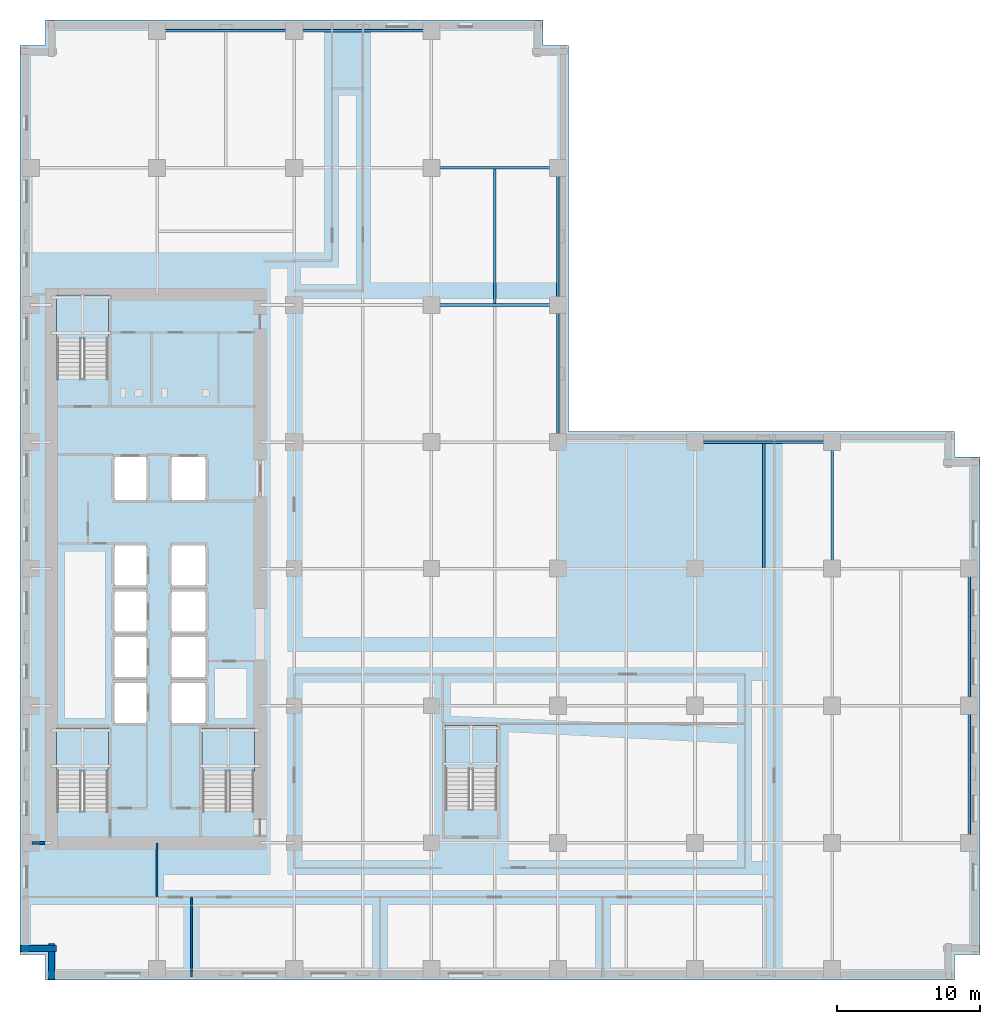
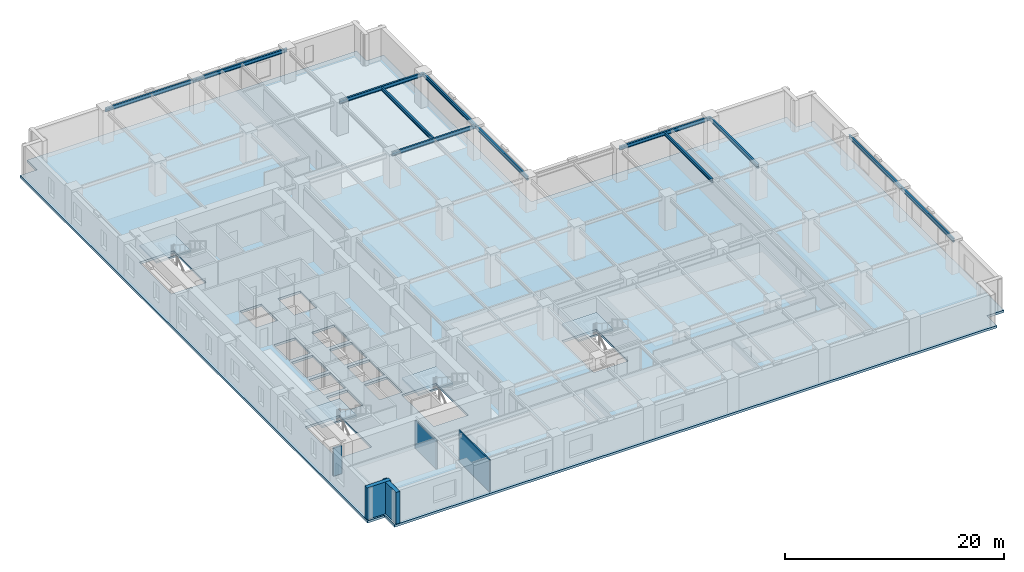
# One storey, part 3 of 13: 12 beams, 5 slabs, 5 walls, 4 elements without a shape of their own.
"""IFC4 building model written with IfcOpenShell, lengths in metres."""

import ifcopenshell
import ifcopenshell.guid

model = None  # the IFC model being written
_history = None  # IfcOwnerHistory: only IFC2X3 demands one
_inside = {}  # id of a spatial element -> (the spatial element, [elements in it])
_under = {}  # id of a project, library or spatial element -> (it, [spatial elements below it])
_declared = {}  # id of a project -> (the project, [libraries it declares])
_typed = {}  # id of a type object -> (the type object, [elements of that type])
_made_of = {}  # id of a material, layer set ... -> (it, [elements and type objects made of it])


def new_model(schema):
    """Start an empty IFC model of exactly this schema.

    Asked for "IFC4X3", IfcOpenShell would pick the latest addendum, in which some entities
    have other attributes; the version numbers below select the first issue.
    IFC2X3 requires an IfcOwnerHistory on every rooted entity: one is made here for all.
    """
    global model, _history
    if schema == "IFC4X3":
        model = ifcopenshell.file(schema_version=(4, 3, 0, 0))
    else:
        model = ifcopenshell.file(schema=schema)
    _inside.clear()
    _under.clear()
    _declared.clear()
    _typed.clear()
    _made_of.clear()
    _history = None
    if model.schema == "IFC2X3":
        org = make("IfcOrganization", Name="unknown")
        user = make(
            "IfcPersonAndOrganization",
            ThePerson=make("IfcPerson", FamilyName="unknown"),
            TheOrganization=org,
        )
        app = make(
            "IfcApplication",
            ApplicationDeveloper=org,
            Version="unknown",
            ApplicationFullName="unknown",
            ApplicationIdentifier="unknown",
        )
        _history = make(
            "IfcOwnerHistory",
            OwningUser=user,
            OwningApplication=app,
            ChangeAction="ADDED",
            CreationDate=0,
        )
    return model


def make(cls, **values):
    """One entity of the class cls with the attributes given. An attribute that is None is left unset."""
    return model.create_entity(
        cls, **{name: value for name, value in values.items() if value is not None}
    )


def rooted(cls, **values):
    """An entity with a GlobalId (a new one), such as an element, a storey or a relation."""
    return make(cls, GlobalId=ifcopenshell.guid.new(), OwnerHistory=_history, **values)


def si_unit(unit_type, name, prefix=None):
    """IfcSIUnit, for example si_unit("LENGTHUNIT", "METRE", prefix="MILLI")."""
    return make("IfcSIUnit", UnitType=unit_type, Prefix=prefix, Name=name)


def assignment(units):
    """IfcUnitAssignment: the units of a project."""
    return None if units is None else make("IfcUnitAssignment", Units=units)


def point(xyz):
    """IfcCartesianPoint."""
    return None if xyz is None else make("IfcCartesianPoint", Coordinates=xyz)


def direction(xyz):
    """IfcDirection."""
    return None if xyz is None else make("IfcDirection", DirectionRatios=xyz)


def frame(location, z_axis=None, x_axis=None):
    """IfcAxis2Placement3D, a coordinate frame: its origin and axes. An axis left out is left unset."""
    return make(
        "IfcAxis2Placement3D",
        Location=point(location),
        Axis=direction(z_axis),
        RefDirection=direction(x_axis),
    )


def frame_2d(location, x_axis=None):
    """IfcAxis2Placement2D, a coordinate frame in the plane: its origin and x axis."""
    return make(
        "IfcAxis2Placement2D", Location=point(location), RefDirection=direction(x_axis)
    )


def origin():
    """The frame at (0, 0, 0) with its axes left unset."""
    return frame((0.0, 0.0, 0.0))


def origin_2d():
    """The frame at (0, 0) in the plane with its x axis left unset."""
    return frame_2d((0.0, 0.0))


def place(relative_to, where):
    """IfcLocalPlacement: puts the frame where relative to a parent placement (None: the world)."""
    return make(
        "IfcLocalPlacement", PlacementRelTo=relative_to, RelativePlacement=where
    )


def context(
    kind, dimensions, precision=None, world=None, true_north=None, identifier=None
):
    """IfcGeometricRepresentationContext, for example the 3D "Model" context."""
    return make(
        "IfcGeometricRepresentationContext",
        ContextIdentifier=identifier,
        ContextType=kind,
        CoordinateSpaceDimension=dimensions,
        Precision=precision,
        WorldCoordinateSystem=world,
        TrueNorth=true_north,
    )


def subcontext(parent, identifier, kind, view, scale=None):
    """IfcGeometricRepresentationSubContext, for example "Body" below "Model"."""
    return make(
        "IfcGeometricRepresentationSubContext",
        ContextIdentifier=identifier,
        ContextType=kind,
        ParentContext=parent,
        TargetScale=scale,
        TargetView=view,
    )


def project(units=None, contexts=None):
    """IfcProject with its units and contexts."""
    return rooted(
        "IfcProject",
        Name="project",
        RepresentationContexts=contexts,
        UnitsInContext=assignment(units),
    )


def spatial(cls, under=None, at=None, **own):
    """A site, building, storey or space (cls), placed at a placement, below another one or the project."""
    s = rooted(cls, ObjectPlacement=at, **own)
    if under is not None:
        _under.setdefault(under.id(), (under, []))[1].append(s)
    return s


def polyline(points):
    """IfcPolyline through the points."""
    return make("IfcPolyline", Points=[point(p) for p in points])


def profile(cls, at=None, kind="AREA", **sizes):
    """A parametric profile (cls). Its sizes go by their IFC names, for example OverallWidth=200.0."""
    return make(cls, ProfileType=kind, Position=at, **sizes)


def rectangle(**sizes):
    """IfcRectangleProfileDef."""
    return profile("IfcRectangleProfileDef", **sizes)


def i_section(**sizes):
    """IfcIShapeProfileDef."""
    return profile("IfcIShapeProfileDef", **sizes)


def outline(outer, holes=None, kind="AREA"):
    """IfcArbitraryClosedProfileDef: a profile drawn as a closed curve; with holes, ...WithVoids."""
    if holes is None:
        return make("IfcArbitraryClosedProfileDef", ProfileType=kind, OuterCurve=outer)
    return make(
        "IfcArbitraryProfileDefWithVoids",
        ProfileType=kind,
        OuterCurve=outer,
        InnerCurves=holes,
    )


def extrude(swept, where, along, depth):
    """IfcExtrudedAreaSolid: the profile swept, set in the frame where, extruded along a direction by depth."""
    return make(
        "IfcExtrudedAreaSolid",
        SweptArea=swept,
        Position=where,
        ExtrudedDirection=direction(along),
        Depth=depth,
    )


def shape(context_of_items, identifier, shape_type, items):
    """IfcShapeRepresentation: the items that make up one representation, for example the "Body"."""
    return make(
        "IfcShapeRepresentation",
        ContextOfItems=context_of_items,
        RepresentationIdentifier=identifier,
        RepresentationType=shape_type,
        Items=items,
    )


def material(Name=None, Category=None):
    """IfcMaterial."""
    return make("IfcMaterial", Name=Name, Category=Category)


def layer(
    of_material, thickness, ventilated=None, Name=None, Category=None, Priority=None
):
    """IfcMaterialLayer: one layer of a wall or slab, of a material (None: an air gap)."""
    return make(
        "IfcMaterialLayer",
        Material=of_material,
        LayerThickness=thickness,
        IsVentilated=ventilated,
        Name=Name,
        Category=Category,
        Priority=Priority,
    )


def layer_set(layers, Name=None):
    """IfcMaterialLayerSet."""
    return make("IfcMaterialLayerSet", MaterialLayers=layers, LayerSetName=Name)


def material_profile(
    of_material, cross_section, Name=None, Category=None, Priority=None
):
    """IfcMaterialProfile: a cross section and its material."""
    return make(
        "IfcMaterialProfile",
        Name=Name,
        Material=of_material,
        Profile=cross_section,
        Priority=Priority,
        Category=Category,
    )


def profile_set(profiles, Name=None, composite=None):
    """IfcMaterialProfileSet."""
    return make(
        "IfcMaterialProfileSet",
        Name=Name,
        MaterialProfiles=profiles,
        CompositeProfile=composite,
    )


def made_of(thing, what):
    """Note that an element or type object is made of a material, layer set ...; save() writes the relation."""
    if what is not None:
        _made_of.setdefault(what.id(), (what, []))[1].append(thing)
    return thing


def type_object(cls, material=None, **own):
    """A type object (cls), such as IfcWallType, which elements share."""
    return made_of(rooted(cls, **own), material)


def element(
    cls,
    number,
    at=None,
    inside=None,
    cuts=None,
    type_object=None,
    material=None,
    context=None,
    identifier="Body",
    shape_type=None,
    held_by="IfcProductDefinitionShape",
    body=None,
    shapes=None,
    **own,
):
    """One element of the class cls, such as IfcWall. Its Tag is "e" and its number.

    at: its placement. inside: the storey or other place that contains it. cuts: it is an
    opening in that element (IfcRelVoidsElement). A single representation is given by context,
    identifier, shape_type and body (its items); several are given by shapes. held_by: the class
    of the entity that holds the representations. save() writes the other relations.
    """
    e = rooted(cls, Tag="e%d" % number, ObjectPlacement=at, **own)
    if body is not None:
        shapes = [shape(context, identifier, shape_type, body)]
    if shapes is not None:
        e.Representation = make(held_by, Representations=shapes)
    if inside is not None:
        _inside.setdefault(inside.id(), (inside, []))[1].append(e)
    if cuts is not None:
        rooted(
            "IfcRelVoidsElement", RelatingBuildingElement=cuts, RelatedOpeningElement=e
        )
    if type_object is not None:
        _typed.setdefault(type_object.id(), (type_object, []))[1].append(e)
    return made_of(e, material)


def aggregate(whole, parts):
    """IfcRelAggregates: a whole, such as a stair, and the parts it consists of."""
    return rooted("IfcRelAggregates", RelatingObject=whole, RelatedObjects=parts)


def save(model, path):
    """Write the relations noted so far, then the file.

    IfcRelAggregates (storeys below a building ...), IfcRelContainedInSpatialStructure (elements
    in a storey), IfcRelDefinesByType, IfcRelAssociatesMaterial and IfcRelDeclares: one each for
    every whole, place, type object, material and project.
    """
    for whole, parts in _under.values():
        aggregate(whole, parts)
    for where, things in _inside.values():
        rooted(
            "IfcRelContainedInSpatialStructure",
            RelatedElements=things,
            RelatingStructure=where,
        )
    for kind, things in _typed.values():
        rooted("IfcRelDefinesByType", RelatedObjects=things, RelatingType=kind)
    for what, things in _made_of.values():
        rooted("IfcRelAssociatesMaterial", RelatedObjects=things, RelatingMaterial=what)
    for by, libraries in _declared.values():
        rooted("IfcRelDeclares", RelatingContext=by, RelatedDefinitions=libraries)
    model.write(path)


model = new_model("IFC4")

# Units and contexts
model_context = context("Model", 3, precision=1e-05, world=origin(), true_north=direction((0.0, 1.0)))
body_context = subcontext(model_context, "Body", "Model", "MODEL_VIEW")
ifc_project = project(units=[si_unit("LENGTHUNIT", "METRE"), si_unit("AREAUNIT", "SQUARE_METRE"), si_unit("VOLUMEUNIT", "CUBIC_METRE"), si_unit("PLANEANGLEUNIT", "RADIAN"), si_unit("MASSUNIT", "GRAM", prefix="KILO")], contexts=[model_context])

# Site, building, storey
site_placement = place(None, origin())
site = spatial("IfcSite", under=ifc_project, at=site_placement, CompositionType="ELEMENT")
building_placement = place(site_placement, origin())
building = spatial("IfcBuilding", under=site, at=building_placement, Name="Norrvale University Quadrangle", CompositionType="ELEMENT")
storey_placement = place(building_placement, frame((0.0, 0.0, 39.39990234375)))
storey = spatial("IfcBuildingStorey", under=building, at=storey_placement, Name="L09", CompositionType="ELEMENT", Elevation=39.39990234375)

# Beams
ifc_material_1 = material(Name="Steel 350W", Category="steel")
ifc_material_profile_1 = material_profile(ifc_material_1, i_section(OverallWidth=0.180908203125, OverallDepth=0.4169921875, WebThickness=0.010986328125, FlangeThickness=0.018310546875, FilletRadius=0.011962890625, at=origin_2d()), Name="Steel 350W")
ifc_profile_set_1 = profile_set([ifc_material_profile_1], Name="Steel 350W")
beam_type_1 = type_object("IfcBeamType", Name="Beam Atrium W410x85", PredefinedType="BEAM", material=ifc_profile_set_1)
beam_1_placement = place(storey_placement, frame((47.25, 37.64990234375, 3.33154296875), z_axis=(1.0, 0.0, 0.0), x_axis=(0.0, 1.0, 0.0)))
element("IfcBeam", 1, at=beam_1_placement, inside=storey, type_object=beam_type_1, Name="Beam Atrium W410x85 BM-L09-GX024", PredefinedType="BEAM", context=body_context, shape_type="SweptSolid", body=[
    extrude(i_section(OverallWidth=0.180908203125, OverallDepth=0.4169921875, WebThickness=0.010986328125, FlangeThickness=0.018310546875, FilletRadius=0.011962890625, at=origin_2d()), origin(), (0.0, 0.0, 1.0), 9.60009765625),
])
for number, where, z_axis, x_axis, name in (
    (2, (28.800048828125, 47.25, 3.33154296875), (1.0, 0.0, 0.0), (0.0, 1.0, 0.0), "Beam Atrium W410x85 BM-L09-GX026"),
    (3, (28.800048828125, 56.85009765625, 3.33154296875), (1.0, 0.0, 0.0), (0.0, 1.0, 0.0), "Beam Atrium W410x85 BM-L09-GX030"),
):
    element("IfcBeam", number, at=place(storey_placement, frame(where, z_axis=z_axis, x_axis=x_axis)), inside=storey, type_object=beam_type_1, Name=name, PredefinedType="BEAM", context=body_context, shape_type="SweptSolid", body=[
        extrude(i_section(OverallWidth=0.180908203125, OverallDepth=0.4169921875, WebThickness=0.010986328125, FlangeThickness=0.018310546875, FilletRadius=0.011962890625, at=origin_2d()), origin(), (0.0, 0.0, 1.0), 8.849853515625),
    ])
beam_2_placement = place(storey_placement, frame((9.60009765625, 66.449951171875, 3.33154296875), z_axis=(1.0, 0.0, 0.0), x_axis=(0.0, 1.0, 0.0)))
element("IfcBeam", 4, at=beam_2_placement, inside=storey, type_object=beam_type_1, Name="Beam Atrium W410x85 BM-L09-GX031", PredefinedType="BEAM", context=body_context, shape_type="SweptSolid", body=[
    extrude(i_section(OverallWidth=0.180908203125, OverallDepth=0.4169921875, WebThickness=0.010986328125, FlangeThickness=0.018310546875, FilletRadius=0.011962890625, at=origin_2d()), origin(), (0.0, 0.0, 1.0), 9.599853515625),
])
for number, where, z_axis, x_axis, name in (
    (5, (19.199951171875, 66.449951171875, 3.33154296875), (1.0, 0.0, 0.0), (0.0, 1.0, 0.0), "Beam Atrium W410x85 BM-L09-GX032"),
    (6, (37.64990234375, 37.64990234375, 3.33154296875), (0.0, 1.0, 0.0), (-1.0, 0.0, 0.0), "Beam Atrium W410x85 BM-L09-GY057"),
    (7, (37.64990234375, 47.25, 3.33154296875), (0.0, 1.0, 0.0), (-1.0, 0.0, 0.0), "Beam Atrium W410x85 BM-L09-GY058"),
):
    element("IfcBeam", number, at=place(storey_placement, frame(where, z_axis=z_axis, x_axis=x_axis)), inside=storey, type_object=beam_type_1, Name=name, PredefinedType="BEAM", context=body_context, shape_type="SweptSolid", body=[
        extrude(i_section(OverallWidth=0.180908203125, OverallDepth=0.4169921875, WebThickness=0.010986328125, FlangeThickness=0.018310546875, FilletRadius=0.011962890625, at=origin_2d()), origin(), (0.0, 0.0, 1.0), 9.60009765625),
    ])
beam_3_placement = place(storey_placement, frame((56.85009765625, 28.800048828125, 3.33154296875), z_axis=(0.0, 1.0, 0.0), x_axis=(-1.0, 0.0, 0.0)))
element("IfcBeam", 8, at=beam_3_placement, inside=storey, type_object=beam_type_1, Name="Beam Atrium W410x85 BM-L09-GY066", PredefinedType="BEAM", context=body_context, shape_type="SweptSolid", body=[
    extrude(i_section(OverallWidth=0.180908203125, OverallDepth=0.4169921875, WebThickness=0.010986328125, FlangeThickness=0.018310546875, FilletRadius=0.011962890625, at=origin_2d()), origin(), (0.0, 0.0, 1.0), 8.849853515625),
])
beam_4_placement = place(storey_placement, frame((66.449951171875, 9.60009765625, 3.33154296875), z_axis=(0.0, 1.0, 0.0), x_axis=(-1.0, 0.0, 0.0)))
element("IfcBeam", 9, at=beam_4_placement, inside=storey, type_object=beam_type_1, Name="Beam Atrium W410x85 BM-L09-GY067", PredefinedType="BEAM", context=body_context, shape_type="SweptSolid", body=[
    extrude(i_section(OverallWidth=0.180908203125, OverallDepth=0.4169921875, WebThickness=0.010986328125, FlangeThickness=0.018310546875, FilletRadius=0.011962890625, at=origin_2d()), origin(), (0.0, 0.0, 1.0), 9.599853515625),
])
beam_5_placement = place(storey_placement, frame((66.449951171875, 19.199951171875, 3.33154296875), z_axis=(0.0, 1.0, 0.0), x_axis=(-1.0, 0.0, 0.0)))
element("IfcBeam", 10, at=beam_5_placement, inside=storey, type_object=beam_type_1, Name="Beam Atrium W410x85 BM-L09-GY068", PredefinedType="BEAM", context=body_context, shape_type="SweptSolid", body=[
    extrude(i_section(OverallWidth=0.180908203125, OverallDepth=0.4169921875, WebThickness=0.010986328125, FlangeThickness=0.018310546875, FilletRadius=0.011962890625, at=origin_2d()), origin(), (0.0, 0.0, 1.0), 9.60009765625),
])
ifc_material_profile_2 = material_profile(ifc_material_1, i_section(OverallWidth=0.177978515625, OverallDepth=0.406982421875, WebThickness=0.0078125, FlangeThickness=0.0126953125, FilletRadius=0.011962890625, at=origin_2d()), Name="Steel 350W")
ifc_profile_set_2 = profile_set([ifc_material_profile_2], Name="Steel 350W")
beam_type_2 = type_object("IfcBeamType", Name="Beam Roof Purlin W410x60", PredefinedType="USERDEFINED", material=ifc_profile_set_2)
beam_6_placement = place(storey_placement, frame((33.22509765625, 47.340576171875, 3.336669921875), z_axis=(0.0, 1.0, 0.0), x_axis=(-1.0, 0.0, 0.0)))
element("IfcBeam", 11, at=beam_6_placement, inside=storey, type_object=beam_type_2, Name="Beam Roof Purlin W410x60 BM-L09-J091", ObjectType="PURLIN", PredefinedType="USERDEFINED", context=body_context, shape_type="SweptSolid", body=[
    extrude(i_section(OverallWidth=0.177978515625, OverallDepth=0.406982421875, WebThickness=0.0078125, FlangeThickness=0.0126953125, FilletRadius=0.011962890625, at=origin_2d()), origin(), (0.0, 0.0, 1.0), 9.4189453125),
])
beam_7_placement = place(storey_placement, frame((52.050048828125, 28.890380859375, 3.336669921875), z_axis=(0.0, 1.0, 0.0), x_axis=(-1.0, 0.0, 0.0)))
element("IfcBeam", 12, at=beam_7_placement, inside=storey, type_object=beam_type_2, Name="Beam Roof Purlin W410x60 BM-L09-J099", ObjectType="PURLIN", PredefinedType="USERDEFINED", context=body_context, shape_type="SweptSolid", body=[
    extrude(i_section(OverallWidth=0.177978515625, OverallDepth=0.406982421875, WebThickness=0.0078125, FlangeThickness=0.0126953125, FilletRadius=0.011962890625, at=origin_2d()), origin(), (0.0, 0.0, 1.0), 8.669189453125),
])

# Stair, slab
ifc_material_2 = material(Name="Concrete C40/50", Category="concrete")
stair_type = type_object("IfcStairType", Name="Stair Tower Typ 3800", PredefinedType="TWO_STRAIGHT_RUN_STAIR", material=ifc_material_2)
stair_1_placement = place(storey_placement, origin())
stair_1 = element("IfcStair", 13, at=stair_1_placement, inside=storey, type_object=stair_type, Name="Exit Stair ST-01 L09", PredefinedType="TWO_STRAIGHT_RUN_STAIR")
ifc_layer_1 = layer(ifc_material_2, 0.199951171875, Name="Concrete C40/50")
ifc_layer_set_1 = layer_set([ifc_layer_1], Name="Concrete C40/50")
slab_type_1 = type_object("IfcSlabType", Name="Slab Landing 200", PredefinedType="LANDING", material=ifc_layer_set_1)
slab_1_placement = place(storey_placement, frame((0.0, 0.0, 1.7001953125)))
slab_1 = element("IfcSlab", 14, at=slab_1_placement, type_object=slab_type_1, Name="Exit Stair ST-01 L09 Mid Landing", PredefinedType="LANDING", context=body_context, shape_type="SweptSolid", body=[
    extrude(outline(polyline([(2.550048828125, 14.590087890625), (6.199951171875, 14.590087890625), (6.199951171875, 17.64990234375), (2.550048828125, 17.64990234375), (2.550048828125, 14.590087890625)])), origin(), (0.0, 0.0, 1.0), 0.199951171875),
])
aggregate(stair_1, [slab_1])

stair_2_placement = place(storey_placement, origin())
stair_2 = element("IfcStair", 15, at=stair_2_placement, inside=storey, type_object=stair_type, Name="Exit Stair ST-02 L09", PredefinedType="TWO_STRAIGHT_RUN_STAIR")
slab_2_placement = place(storey_placement, frame((0.0, 0.0, 1.7001953125)))
slab_2 = element("IfcSlab", 16, at=slab_2_placement, type_object=slab_type_1, Name="Exit Stair ST-02 L09 Mid Landing", PredefinedType="LANDING", context=body_context, shape_type="SweptSolid", body=[
    extrude(outline(polyline([(2.550048828125, 44.889892578125), (6.199951171875, 44.889892578125), (6.199951171875, 47.949951171875), (2.550048828125, 47.949951171875), (2.550048828125, 44.889892578125)])), origin(), (0.0, 0.0, 1.0), 0.199951171875),
])
aggregate(stair_2, [slab_2])

stair_3_placement = place(storey_placement, origin())
stair_3 = element("IfcStair", 17, at=stair_3_placement, inside=storey, type_object=stair_type, Name="Exit Stair ST-03 L09", PredefinedType="TWO_STRAIGHT_RUN_STAIR")
slab_3_placement = place(storey_placement, frame((0.0, 0.0, 1.7001953125)))
slab_3 = element("IfcSlab", 18, at=slab_3_placement, type_object=slab_type_1, Name="Exit Stair ST-03 L09 Mid Landing", PredefinedType="LANDING", context=body_context, shape_type="SweptSolid", body=[
    extrude(outline(polyline([(12.75, 14.590087890625), (16.39990234375, 14.590087890625), (16.39990234375, 17.64990234375), (12.75, 17.64990234375), (12.75, 14.590087890625)])), origin(), (0.0, 0.0, 1.0), 0.199951171875),
])
aggregate(stair_3, [slab_3])

stair_4_placement = place(storey_placement, origin())
stair_4 = element("IfcStair", 19, at=stair_4_placement, inside=storey, type_object=stair_type, Name="Exit Stair ST-04 L09", PredefinedType="TWO_STRAIGHT_RUN_STAIR")
slab_4_placement = place(storey_placement, frame((0.0, 0.0, 1.7001953125)))
slab_4 = element("IfcSlab", 20, at=slab_4_placement, type_object=slab_type_1, Name="Exit Stair ST-04 L09 Mid Landing", PredefinedType="LANDING", context=body_context, shape_type="SweptSolid", body=[
    extrude(outline(polyline([(29.75, 14.739990234375), (33.39990234375, 14.739990234375), (33.39990234375, 17.800048828125), (29.75, 17.800048828125), (29.75, 14.739990234375)])), origin(), (0.0, 0.0, 1.0), 0.199951171875),
])
aggregate(stair_4, [slab_4])

# Slab
ifc_layer_2 = layer(ifc_material_2, 0.260009765625, Name="Concrete C40/50")
ifc_layer_set_2 = layer_set([ifc_layer_2], Name="Concrete C40/50")
slab_type_2 = type_object("IfcSlabType", Name="Slab Tower Typ 260", PredefinedType="FLOOR", material=ifc_layer_set_2)
slab_5_placement = place(storey_placement, frame((0.0, 0.0, -0.260009765625)))
element("IfcSlab", 21, at=slab_5_placement, inside=storey, type_object=slab_type_2, Name="Tower L09 Floor Slab", PredefinedType="FLOOR", context=body_context, shape_type="SweptSolid", body=[
    extrude(outline(polyline([(1.800048828125, 0.0), (65.39990234375, 0.0), (65.39990234375, 1.800048828125), (67.199951171875, 1.800048828125), (67.199951171875, 36.60009765625), (65.39990234375, 36.60009765625), (65.39990234375, 38.39990234375), (38.39990234375, 38.39990234375), (38.39990234375, 65.39990234375), (36.60009765625, 65.39990234375), (36.60009765625, 67.199951171875), (1.800048828125, 67.199951171875), (1.800048828125, 65.39990234375), (0.0, 65.39990234375), (0.0, 1.800048828125), (1.800048828125, 1.800048828125), (1.800048828125, 0.0)]), holes=[polyline([(2.550048828125, 11.81005859375), (6.199951171875, 11.81005859375), (6.199951171875, 17.64990234375), (2.550048828125, 17.64990234375), (2.550048828125, 11.81005859375)]), polyline([(2.550048828125, 42.110107421875), (6.199951171875, 42.110107421875), (6.199951171875, 47.949951171875), (2.550048828125, 47.949951171875), (2.550048828125, 42.110107421875)]), polyline([(12.75, 11.81005859375), (16.39990234375, 11.81005859375), (16.39990234375, 17.64990234375), (12.75, 17.64990234375), (12.75, 11.81005859375)]), polyline([(29.75, 11.9599609375), (33.39990234375, 11.9599609375), (33.39990234375, 17.800048828125), (29.75, 17.800048828125), (29.75, 11.9599609375)]), polyline([(6.60009765625, 18.0), (8.85009765625, 18.0), (8.85009765625, 20.800048828125), (6.60009765625, 20.800048828125), (6.60009765625, 18.0)]), polyline([(6.60009765625, 21.199951171875), (8.85009765625, 21.199951171875), (8.85009765625, 24.0), (6.60009765625, 24.0), (6.60009765625, 21.199951171875)]), polyline([(6.60009765625, 24.39990234375), (8.85009765625, 24.39990234375), (8.85009765625, 27.199951171875), (6.60009765625, 27.199951171875), (6.60009765625, 24.39990234375)]), polyline([(6.60009765625, 27.60009765625), (8.85009765625, 27.60009765625), (8.85009765625, 30.39990234375), (6.60009765625, 30.39990234375), (6.60009765625, 27.60009765625)]), polyline([(10.60009765625, 18.0), (13.0, 18.0), (13.0, 20.800048828125), (10.60009765625, 20.800048828125), (10.60009765625, 18.0)]), polyline([(10.60009765625, 21.199951171875), (13.0, 21.199951171875), (13.0, 24.0), (10.60009765625, 24.0), (10.60009765625, 21.199951171875)]), polyline([(10.60009765625, 24.39990234375), (13.0, 24.39990234375), (13.0, 27.199951171875), (10.60009765625, 27.199951171875), (10.60009765625, 24.39990234375)]), polyline([(10.60009765625, 27.60009765625), (13.0, 27.60009765625), (13.0, 30.39990234375), (10.60009765625, 30.39990234375), (10.60009765625, 27.60009765625)]), polyline([(6.60009765625, 33.60009765625), (8.85009765625, 33.60009765625), (8.85009765625, 36.60009765625), (6.60009765625, 36.60009765625), (6.60009765625, 33.60009765625)]), polyline([(10.60009765625, 33.60009765625), (13.0, 33.60009765625), (13.0, 36.60009765625), (10.60009765625, 36.60009765625), (10.60009765625, 33.60009765625)])]), origin(), (0.0, 0.0, 1.0), 0.260009765625),
])

# Walls
ifc_material_3 = material(Name="Buff Norman Clay Brick Masonry", Category="masonry")
ifc_layer_3 = layer(ifc_material_3, 0.419921875, Name="Buff Norman Clay Brick Masonry")
ifc_layer_set_3 = layer_set([ifc_layer_3], Name="Buff Norman Clay Brick Masonry")
wall_type_1 = type_object("IfcWallType", Name="Wall Buff Brick 420", PredefinedType="SOLIDWALL", material=ifc_layer_set_3)
for number, where, z_axis, x_axis, name in (
    (22, (0.0400390625, 2.18994140625, 0.0), (0.0, 0.0, 1.0), (1.0, 0.0, 0.0), "Exterior Brick Facade Wall L09-15.1"),
    (23, (2.18994140625, 2.5400390625, 0.0), (0.0, 0.0, 1.0), (0.0, -1.0, 0.0), "Exterior Brick Facade Wall L09-16.1"),
):
    element("IfcWall", number, at=place(storey_placement, frame(where, z_axis=z_axis, x_axis=x_axis)), inside=storey, type_object=wall_type_1, Name=name, PredefinedType="SOLIDWALL", context=body_context, shape_type="SweptSolid", body=[
        extrude(rectangle(XDim=2.5, YDim=0.419921875, at=frame_2d((1.25, 0.0))), origin(), (0.0, 0.0, 1.0), 3.5400390625),
    ])
ifc_material_4 = material(Name="Standard Academic Gypsum Partition")
ifc_layer_4 = layer(ifc_material_4, 0.125, Name="Standard Academic Gypsum Partition")
ifc_layer_set_4 = layer_set([ifc_layer_4], Name="Standard Academic Gypsum Partition")
wall_type_2 = type_object("IfcWallType", Name="Wall Gypsum Academic 125", PredefinedType="PARTITIONING", material=ifc_layer_set_4)
wall_1_placement = place(storey_placement, frame((12.0, 0.219970703125, 0.0), z_axis=(0.0, 0.0, 1.0), x_axis=(0.0, 1.0, 0.0)))
element("IfcWall", 24, at=wall_1_placement, inside=storey, type_object=wall_type_2, Name="Interior Partition WL-L09-SP01", PredefinedType="PARTITIONING", context=body_context, shape_type="SweptSolid", body=[
    extrude(rectangle(XDim=5.580078125, YDim=0.125, at=frame_2d((2.7900390625, 0.0))), origin(), (0.0, 0.0, 1.0), 3.5400390625),
])
ifc_material_5 = material(Name="Fire-Rated Gypsum Stud Partition")
ifc_layer_5 = layer(ifc_material_5, 0.14990234375, Name="Fire-Rated Gypsum Stud Partition")
ifc_layer_set_5 = layer_set([ifc_layer_5], Name="Fire-Rated Gypsum Stud Partition")
wall_type_3 = type_object("IfcWallType", Name="Wall Gypsum Corridor 150", PredefinedType="PARTITIONING", material=ifc_layer_set_5)
wall_2_placement = place(storey_placement, frame((9.60009765625, 5.800048828125, 0.0), z_axis=(0.0, 0.0, 1.0), x_axis=(0.0, 1.0, 0.0)))
element("IfcWall", 25, at=wall_2_placement, inside=storey, type_object=wall_type_3, Name="Interior Partition WL-L09-CSW-END", PredefinedType="PARTITIONING", context=body_context, shape_type="SweptSolid", body=[
    extrude(rectangle(XDim=3.800048828125, YDim=0.14990234375, at=frame_2d((1.89990234375, 0.0))), origin(), (0.0, 0.0, 1.0), 3.123046875),
])
ifc_material_6 = material(Name="Concrete Blockwork 20 MPa Rated Wall", Category="masonry")
ifc_layer_6 = layer(ifc_material_6, 0.199951171875, Name="Concrete Blockwork 20 MPa Rated Wall")
ifc_layer_set_6 = layer_set([ifc_layer_6], Name="Concrete Blockwork 20 MPa Rated Wall")
wall_type_4 = type_object("IfcWallType", Name="Wall Lobby 200", PredefinedType="SOLIDWALL", material=ifc_layer_set_6)
wall_3_placement = place(storey_placement, frame((0.85009765625, 9.60009765625, 0.0), z_axis=(0.0, 0.0, 1.0), x_axis=(1.0, 0.0, 0.0)))
element("IfcWall", 26, at=wall_3_placement, inside=storey, type_object=wall_type_4, Name="Interior Partition WL-L09-CWRET-S", PredefinedType="SOLIDWALL", context=body_context, shape_type="SweptSolid", body=[
    extrude(rectangle(XDim=0.89501953125, YDim=0.199951171875, at=frame_2d((0.447509765625, 0.0))), origin(), (0.0, 0.0, 1.0), 3.123046875),
])

save(model, "model.ifc")
